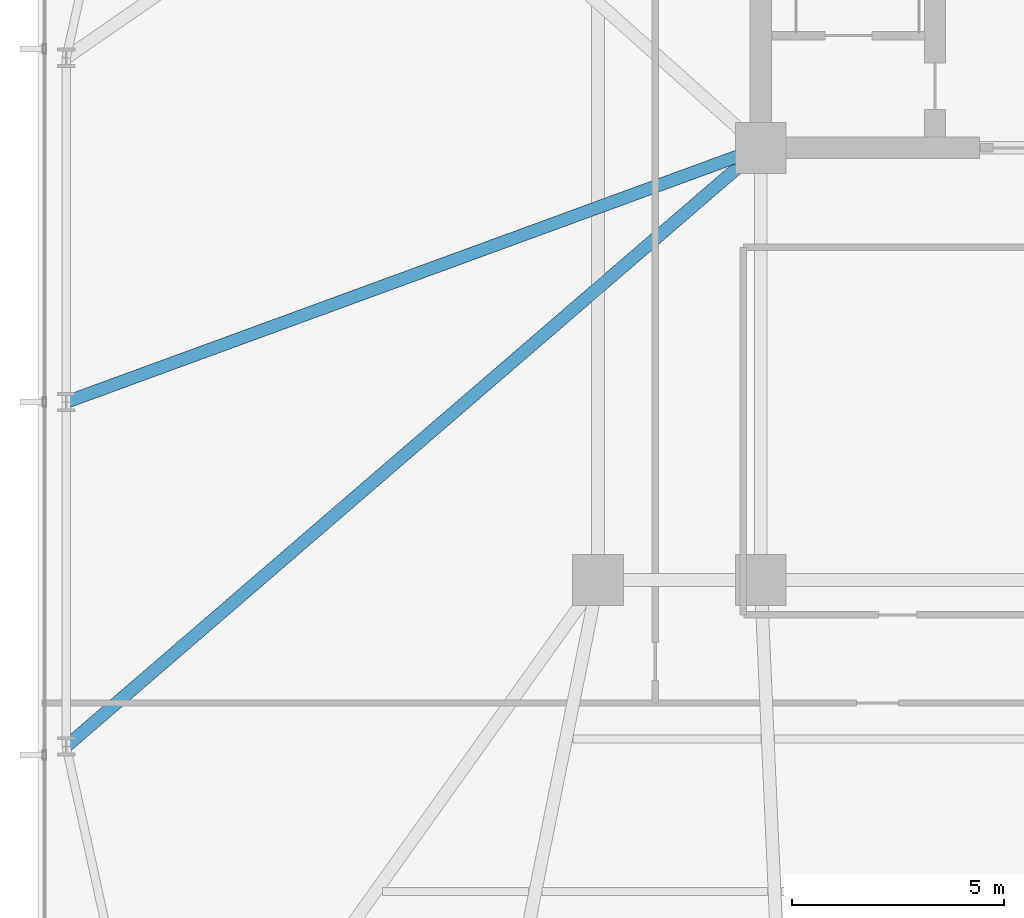
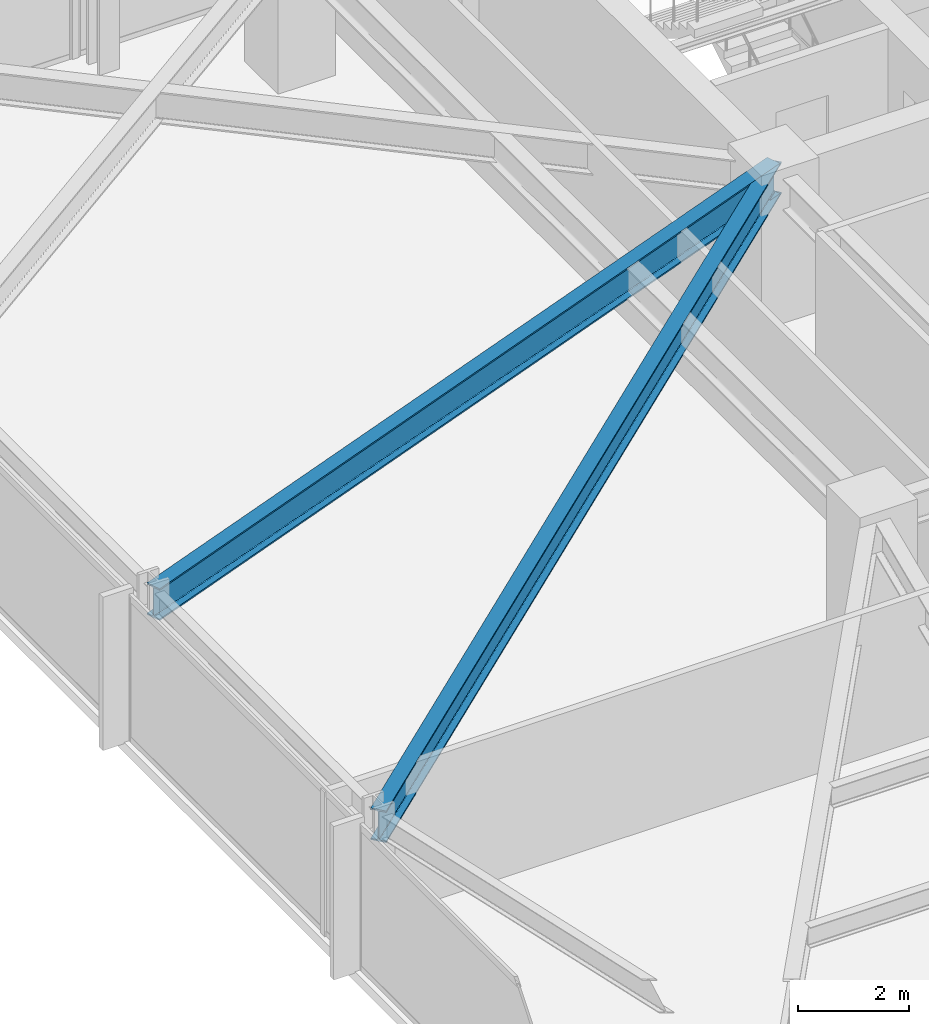
# One storey, part 8 of 32: 2 beams.
"""IFC4 building model written with IfcOpenShell, lengths in metres."""

import ifcopenshell
import ifcopenshell.guid

model = None  # the IFC model being written
_history = None  # IfcOwnerHistory: only IFC2X3 demands one
_inside = {}  # id of a spatial element -> (the spatial element, [elements in it])
_under = {}  # id of a project, library or spatial element -> (it, [spatial elements below it])
_declared = {}  # id of a project -> (the project, [libraries it declares])
_typed = {}  # id of a type object -> (the type object, [elements of that type])
_made_of = {}  # id of a material, layer set ... -> (it, [elements and type objects made of it])


def new_model(schema):
    """Start an empty IFC model of exactly this schema.

    Asked for "IFC4X3", IfcOpenShell would pick the latest addendum, in which some entities
    have other attributes; the version numbers below select the first issue.
    IFC2X3 requires an IfcOwnerHistory on every rooted entity: one is made here for all.
    """
    global model, _history
    if schema == "IFC4X3":
        model = ifcopenshell.file(schema_version=(4, 3, 0, 0))
    else:
        model = ifcopenshell.file(schema=schema)
    _inside.clear()
    _under.clear()
    _declared.clear()
    _typed.clear()
    _made_of.clear()
    _history = None
    if model.schema == "IFC2X3":
        org = make("IfcOrganization", Name="unknown")
        user = make(
            "IfcPersonAndOrganization",
            ThePerson=make("IfcPerson", FamilyName="unknown"),
            TheOrganization=org,
        )
        app = make(
            "IfcApplication",
            ApplicationDeveloper=org,
            Version="unknown",
            ApplicationFullName="unknown",
            ApplicationIdentifier="unknown",
        )
        _history = make(
            "IfcOwnerHistory",
            OwningUser=user,
            OwningApplication=app,
            ChangeAction="ADDED",
            CreationDate=0,
        )
    return model


def make(cls, **values):
    """One entity of the class cls with the attributes given. An attribute that is None is left unset."""
    return model.create_entity(
        cls, **{name: value for name, value in values.items() if value is not None}
    )


def rooted(cls, **values):
    """An entity with a GlobalId (a new one), such as an element, a storey or a relation."""
    return make(cls, GlobalId=ifcopenshell.guid.new(), OwnerHistory=_history, **values)


def si_unit(unit_type, name, prefix=None):
    """IfcSIUnit, for example si_unit("LENGTHUNIT", "METRE", prefix="MILLI")."""
    return make("IfcSIUnit", UnitType=unit_type, Prefix=prefix, Name=name)


def assignment(units):
    """IfcUnitAssignment: the units of a project."""
    return None if units is None else make("IfcUnitAssignment", Units=units)


def point(xyz):
    """IfcCartesianPoint."""
    return None if xyz is None else make("IfcCartesianPoint", Coordinates=xyz)


def direction(xyz):
    """IfcDirection."""
    return None if xyz is None else make("IfcDirection", DirectionRatios=xyz)


def frame(location, z_axis=None, x_axis=None):
    """IfcAxis2Placement3D, a coordinate frame: its origin and axes. An axis left out is left unset."""
    return make(
        "IfcAxis2Placement3D",
        Location=point(location),
        Axis=direction(z_axis),
        RefDirection=direction(x_axis),
    )


def frame_2d(location, x_axis=None):
    """IfcAxis2Placement2D, a coordinate frame in the plane: its origin and x axis."""
    return make(
        "IfcAxis2Placement2D", Location=point(location), RefDirection=direction(x_axis)
    )


def origin():
    """The frame at (0, 0, 0) with its axes left unset."""
    return frame((0.0, 0.0, 0.0))


def origin_2d():
    """The frame at (0, 0) in the plane with its x axis left unset."""
    return frame_2d((0.0, 0.0))


def place(relative_to, where):
    """IfcLocalPlacement: puts the frame where relative to a parent placement (None: the world)."""
    return make(
        "IfcLocalPlacement", PlacementRelTo=relative_to, RelativePlacement=where
    )


def context(
    kind, dimensions, precision=None, world=None, true_north=None, identifier=None
):
    """IfcGeometricRepresentationContext, for example the 3D "Model" context."""
    return make(
        "IfcGeometricRepresentationContext",
        ContextIdentifier=identifier,
        ContextType=kind,
        CoordinateSpaceDimension=dimensions,
        Precision=precision,
        WorldCoordinateSystem=world,
        TrueNorth=true_north,
    )


def subcontext(parent, identifier, kind, view, scale=None):
    """IfcGeometricRepresentationSubContext, for example "Body" below "Model"."""
    return make(
        "IfcGeometricRepresentationSubContext",
        ContextIdentifier=identifier,
        ContextType=kind,
        ParentContext=parent,
        TargetScale=scale,
        TargetView=view,
    )


def project(units=None, contexts=None):
    """IfcProject with its units and contexts."""
    return rooted(
        "IfcProject",
        Name="project",
        RepresentationContexts=contexts,
        UnitsInContext=assignment(units),
    )


def spatial(cls, under=None, at=None, **own):
    """A site, building, storey or space (cls), placed at a placement, below another one or the project."""
    s = rooted(cls, ObjectPlacement=at, **own)
    if under is not None:
        _under.setdefault(under.id(), (under, []))[1].append(s)
    return s


def profile(cls, at=None, kind="AREA", **sizes):
    """A parametric profile (cls). Its sizes go by their IFC names, for example OverallWidth=200.0."""
    return make(cls, ProfileType=kind, Position=at, **sizes)


def i_section(**sizes):
    """IfcIShapeProfileDef."""
    return profile("IfcIShapeProfileDef", **sizes)


def extrude(swept, where, along, depth):
    """IfcExtrudedAreaSolid: the profile swept, set in the frame where, extruded along a direction by depth."""
    return make(
        "IfcExtrudedAreaSolid",
        SweptArea=swept,
        Position=where,
        ExtrudedDirection=direction(along),
        Depth=depth,
    )


def shape(context_of_items, identifier, shape_type, items):
    """IfcShapeRepresentation: the items that make up one representation, for example the "Body"."""
    return make(
        "IfcShapeRepresentation",
        ContextOfItems=context_of_items,
        RepresentationIdentifier=identifier,
        RepresentationType=shape_type,
        Items=items,
    )


def material(Name=None, Category=None):
    """IfcMaterial."""
    return make("IfcMaterial", Name=Name, Category=Category)


def material_profile(
    of_material, cross_section, Name=None, Category=None, Priority=None
):
    """IfcMaterialProfile: a cross section and its material."""
    return make(
        "IfcMaterialProfile",
        Name=Name,
        Material=of_material,
        Profile=cross_section,
        Priority=Priority,
        Category=Category,
    )


def profile_set(profiles, Name=None, composite=None):
    """IfcMaterialProfileSet."""
    return make(
        "IfcMaterialProfileSet",
        Name=Name,
        MaterialProfiles=profiles,
        CompositeProfile=composite,
    )


def made_of(thing, what):
    """Note that an element or type object is made of a material, layer set ...; save() writes the relation."""
    if what is not None:
        _made_of.setdefault(what.id(), (what, []))[1].append(thing)
    return thing


def type_object(cls, material=None, **own):
    """A type object (cls), such as IfcWallType, which elements share."""
    return made_of(rooted(cls, **own), material)


def element(
    cls,
    number,
    at=None,
    inside=None,
    cuts=None,
    type_object=None,
    material=None,
    context=None,
    identifier="Body",
    shape_type=None,
    held_by="IfcProductDefinitionShape",
    body=None,
    shapes=None,
    **own,
):
    """One element of the class cls, such as IfcWall. Its Tag is "e" and its number.

    at: its placement. inside: the storey or other place that contains it. cuts: it is an
    opening in that element (IfcRelVoidsElement). A single representation is given by context,
    identifier, shape_type and body (its items); several are given by shapes. held_by: the class
    of the entity that holds the representations. save() writes the other relations.
    """
    e = rooted(cls, Tag="e%d" % number, ObjectPlacement=at, **own)
    if body is not None:
        shapes = [shape(context, identifier, shape_type, body)]
    if shapes is not None:
        e.Representation = make(held_by, Representations=shapes)
    if inside is not None:
        _inside.setdefault(inside.id(), (inside, []))[1].append(e)
    if cuts is not None:
        rooted(
            "IfcRelVoidsElement", RelatingBuildingElement=cuts, RelatedOpeningElement=e
        )
    if type_object is not None:
        _typed.setdefault(type_object.id(), (type_object, []))[1].append(e)
    return made_of(e, material)


def aggregate(whole, parts):
    """IfcRelAggregates: a whole, such as a stair, and the parts it consists of."""
    return rooted("IfcRelAggregates", RelatingObject=whole, RelatedObjects=parts)


def save(model, path):
    """Write the relations noted so far, then the file.

    IfcRelAggregates (storeys below a building ...), IfcRelContainedInSpatialStructure (elements
    in a storey), IfcRelDefinesByType, IfcRelAssociatesMaterial and IfcRelDeclares: one each for
    every whole, place, type object, material and project.
    """
    for whole, parts in _under.values():
        aggregate(whole, parts)
    for where, things in _inside.values():
        rooted(
            "IfcRelContainedInSpatialStructure",
            RelatedElements=things,
            RelatingStructure=where,
        )
    for kind, things in _typed.values():
        rooted("IfcRelDefinesByType", RelatedObjects=things, RelatingType=kind)
    for what, things in _made_of.values():
        rooted("IfcRelAssociatesMaterial", RelatedObjects=things, RelatingMaterial=what)
    for by, libraries in _declared.values():
        rooted("IfcRelDeclares", RelatingContext=by, RelatedDefinitions=libraries)
    model.write(path)


model = new_model("IFC4")

# Units and contexts
model_context = context("Model", 3, precision=1e-05, world=origin(), true_north=direction((0.0, 1.0)))
body_context = subcontext(model_context, "Body", "Model", "MODEL_VIEW")
ifc_project = project(units=[si_unit("LENGTHUNIT", "METRE"), si_unit("AREAUNIT", "SQUARE_METRE"), si_unit("VOLUMEUNIT", "CUBIC_METRE"), si_unit("PLANEANGLEUNIT", "RADIAN"), si_unit("MASSUNIT", "GRAM", prefix="KILO")], contexts=[model_context])

# Site, building, storey
site_placement = place(None, origin())
site = spatial("IfcSite", under=ifc_project, at=site_placement, CompositionType="ELEMENT")
building_placement = place(site_placement, origin())
building = spatial("IfcBuilding", under=site, at=building_placement, Name="Yelkora Congress Tower", CompositionType="ELEMENT")
storey_placement = place(building_placement, frame((0.0, 0.0, 50.800048828125)))
storey = spatial("IfcBuildingStorey", under=building, at=storey_placement, Name="L12", CompositionType="ELEMENT", Elevation=50.800048828125)

# Beams
ifc_material = material(Name="Steel S355J2", Category="steel")
ifc_material_profile = material_profile(ifc_material, i_section(OverallWidth=0.300048828125, OverallDepth=0.699951171875, WebThickness=0.01708984375, FlangeThickness=0.031982421875, FilletRadius=0.027099609375, at=origin_2d()), Name="HEB 700")
ifc_profile_set = profile_set([ifc_material_profile], Name="Steel S355J2")
beam_type = type_object("IfcBeamType", Name="BM-GIRD-HEB700", PredefinedType="BEAM", material=ifc_profile_set)
beam_1_placement = place(storey_placement, frame((6.64990234375, 21.27490234375, 2.829833984375), z_axis=(0.757511165967, 0.652822206604, 0.0), x_axis=(-0.652822206604, 0.757511165967, 0.0)))
element("IfcBeam", 1, at=beam_1_placement, inside=storey, type_object=beam_type, Name="L12 Primary Frame Girder W01", PredefinedType="BEAM", context=body_context, shape_type="SweptSolid", body=[
    extrude(i_section(OverallWidth=0.300048828125, OverallDepth=0.699951171875, WebThickness=0.01708984375, FlangeThickness=0.031982421875, FilletRadius=0.027099609375, at=origin_2d()), origin(), (0.0, 0.0, 1.0), 21.63671875),
])
beam_2_placement = place(storey_placement, frame((6.64990234375, 29.39990234375, 2.829833984375), z_axis=(0.939056124561, 0.343763865064, 0.0), x_axis=(-0.343763865064, 0.939056124561, 0.0)))
element("IfcBeam", 2, at=beam_2_placement, inside=storey, type_object=beam_type, Name="L12 Primary Frame Girder W02", PredefinedType="BEAM", context=body_context, shape_type="SweptSolid", body=[
    extrude(i_section(OverallWidth=0.300048828125, OverallDepth=0.699951171875, WebThickness=0.01708984375, FlangeThickness=0.031982421875, FilletRadius=0.027099609375, at=origin_2d()), origin(), (0.0, 0.0, 1.0), 17.453857421875),
])

save(model, "model.ifc")
